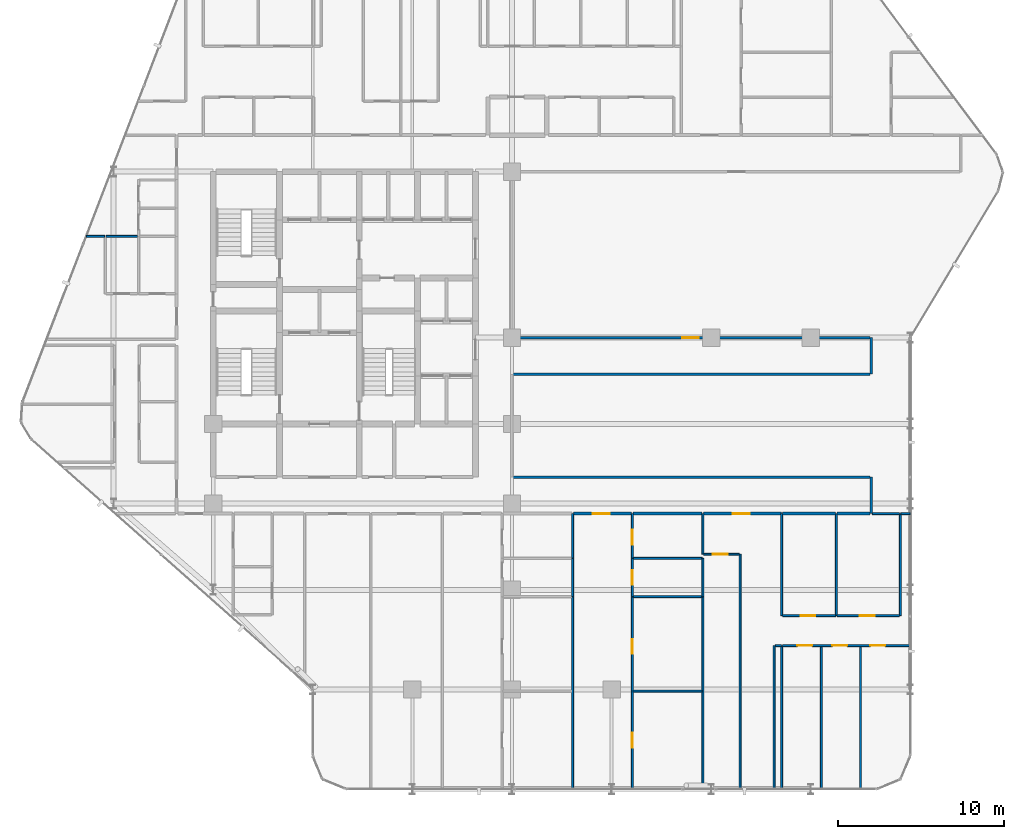
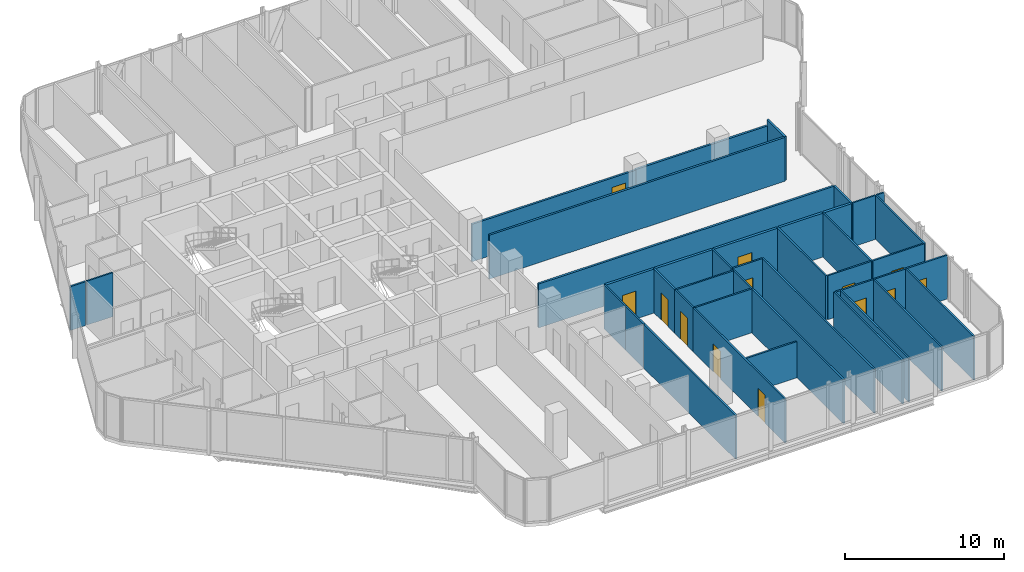
# One storey, part 26 of 30: 40 walls, 13 doors, 13 openings.
"""IFC4 building model written with IfcOpenShell, lengths in metres."""

from ifc_helpers import new_model, si_unit, direction, frame, frame_2d, origin, place, context, subcontext, project, spatial, rectangle, extrude, material, layer, layer_set, type_object, element, fill, save


model = new_model("IFC4")

# Units and contexts
model_context = context("Model", 3, precision=1e-05, world=origin(), true_north=direction((0.0, 1.0)))
body_context = subcontext(model_context, "Body", "Model", "MODEL_VIEW")
ifc_project = project(units=[si_unit("LENGTHUNIT", "METRE"), si_unit("AREAUNIT", "SQUARE_METRE"), si_unit("VOLUMEUNIT", "CUBIC_METRE"), si_unit("PLANEANGLEUNIT", "RADIAN"), si_unit("MASSUNIT", "GRAM", prefix="KILO")], contexts=[model_context])

# Site, building, storey
site_placement = place(None, origin())
site = spatial("IfcSite", under=ifc_project, at=site_placement, CompositionType="ELEMENT")
building_placement = place(site_placement, origin())
building = spatial("IfcBuilding", under=site, at=building_placement, Name="Keshet Zoharim Tower", CompositionType="ELEMENT")
storey_placement = place(building_placement, frame((0.0, 0.0, 116.800048828125)))
storey = spatial("IfcBuildingStorey", under=building, at=storey_placement, Name="L28", CompositionType="ELEMENT", Elevation=116.800048828125)

# Walls
ifc_material_1 = material(Name="Gypsum Plasterboard", Category="gypsum")
ifc_layer_1 = layer(ifc_material_1, 0.14990234375)
ifc_layer_set_1 = layer_set([ifc_layer_1], Name="Gypsum Plasterboard")
wall_type_1 = type_object("IfcWallType", Name="WL-CLIN-150", PredefinedType="STANDARD", material=ifc_layer_set_1)
wall_1_placement = place(storey_placement, frame((54.64990234375, 17.31005859375, 0.0), z_axis=(0.0, 0.0, 1.0), x_axis=(0.0, 1.0, 0.0)))
element("IfcWall", 1, at=wall_1_placement, inside=storey, type_object=wall_type_1, Name="L28 Interior Wall 107", PredefinedType="STANDARD", context=body_context, shape_type="SweptSolid", body=[
    extrude(rectangle(XDim=2.18994140625, YDim=0.14990234375, at=frame_2d((1.094970703125, 0.0))), origin(), (0.0, 0.0, 1.0), 3.3798828125),
])
wall_2_placement = place(storey_placement, frame((54.64990234375, 25.699951171875, 0.0), z_axis=(0.0, 0.0, 1.0), x_axis=(0.0, 1.0, 0.0)))
element("IfcWall", 2, at=wall_2_placement, inside=storey, type_object=wall_type_1, Name="L28 Interior Wall 108", PredefinedType="STANDARD", context=body_context, shape_type="SweptSolid", body=[
    extrude(rectangle(XDim=2.199951171875, YDim=0.14990234375, at=frame_2d((1.10009765625, 0.0))), origin(), (0.0, 0.0, 1.0), 3.3798828125),
])
for number, where, z_axis, x_axis, name in (
    (3, (33.070068359375, 19.5, 0.0), (0.0, 0.0, 1.0), (1.0, 0.0, 0.0), "L28 Interior Wall 145"),
    (4, (33.070068359375, 25.699951171875, 0.0), (0.0, 0.0, 1.0), (1.0, 0.0, 0.0), "L28 Interior Wall 157"),
):
    element("IfcWall", number, at=place(storey_placement, frame(where, z_axis=z_axis, x_axis=x_axis)), inside=storey, type_object=wall_type_1, Name=name, PredefinedType="STANDARD", context=body_context, shape_type="SweptSolid", body=[
        extrude(rectangle(XDim=21.510009765625, YDim=0.14990234375, at=frame_2d((10.7548828125, 0.0))), origin(), (0.0, 0.0, 1.0), 3.3798828125),
    ])

# Wall, opening, door
wall_3_placement = place(storey_placement, frame((33.070068359375, 27.89990234375, 0.0), z_axis=(0.0, 0.0, 1.0), x_axis=(1.0, 0.0, 0.0)))
wall_3 = element("IfcWall", 5, at=wall_3_placement, inside=storey, type_object=wall_type_1, Name="L28 Interior Wall 162", PredefinedType="STANDARD", context=body_context, shape_type="SweptSolid", body=[
    extrude(rectangle(XDim=11.929931640625, YDim=0.14990234375, at=frame_2d((5.96484375, 0.0))), origin(), (0.0, 0.0, 1.0), 2.8798828125),
])
opening_1_placement = place(wall_3_placement, frame((10.18505859375, 0.0, 0.0)))
opening_1 = element("IfcOpeningElement", 6, at=opening_1_placement, cuts=wall_3, Name="Opening D-F310", PredefinedType="OPENING", context=body_context, shape_type="SweptSolid", body=[
    extrude(rectangle(XDim=1.0, YDim=2.14990234375, at=frame_2d((0.5, 1.074951171875))), frame((0.0, 0.0849609375, 0.0), z_axis=(0.0, -1.0, 0.0), x_axis=(1.0, 0.0, 0.0)), (0.0, 0.0, 1.0), 0.169921875),
])
ifc_material_2 = material(Name="Hardwood Timber", Category="wood")
door_type_1 = type_object("IfcDoorType", Name="DR-FD30-100", OperationType="NOTDEFINED", PredefinedType="DOOR", material=ifc_material_2)
door_1_placement = place(opening_1_placement, origin())
door_1 = element("IfcDoor", 7, at=door_1_placement, inside=storey, type_object=door_type_1, Name="L28 North East Residents Services Suite Door 2", OperationType="SINGLE_SWING_LEFT", OverallHeight=2.14990234375, OverallWidth=1.0, PredefinedType="DOOR", context=body_context, shape_type="SweptSolid", body=[
    extrude(rectangle(XDim=1.0, YDim=2.14990234375, at=frame_2d((0.5, 1.074951171875))), frame((0.0, 0.02490234375, 0.0), z_axis=(0.0, -1.0, 0.0), x_axis=(1.0, 0.0, 0.0)), (0.0, 0.0, 1.0), 0.050048828125),
])
fill(opening_1, door_1)

# Wall
wall_4_placement = place(storey_placement, frame((45.0, 27.89990234375, 0.0), z_axis=(0.0, 0.0, 1.0), x_axis=(1.0, 0.0, 0.0)))
element("IfcWall", 8, at=wall_4_placement, inside=storey, type_object=wall_type_1, Name="L28 Interior Wall 162 Part 2", PredefinedType="STANDARD", context=body_context, shape_type="SweptSolid", body=[
    extrude(rectangle(XDim=9.580078125, YDim=0.14990234375, at=frame_2d((4.7900390625, 0.0))), origin(), (0.0, 0.0, 1.0), 2.929931640625),
])

# Wall, opening, door
ifc_layer_2 = layer(ifc_material_1, 0.179931640625)
ifc_layer_set_2 = layer_set([ifc_layer_2], Name="Gypsum Plasterboard")
wall_type_2 = type_object("IfcWallType", Name="WL-CORR-180", PredefinedType="STANDARD", material=ifc_layer_set_2)
wall_5_placement = place(storey_placement, frame((36.695068359375, 17.300048828125, 0.0), z_axis=(0.0, 0.0, 1.0), x_axis=(1.0, 0.0, 0.0)))
wall_5 = element("IfcWall", 9, at=wall_5_placement, inside=storey, type_object=wall_type_2, Name="L28 Interior Wall 134", PredefinedType="STANDARD", context=body_context, shape_type="SweptSolid", body=[
    extrude(rectangle(XDim=3.510009765625, YDim=0.179931640625, at=frame_2d((1.7548828125, 0.0))), origin(), (0.0, 0.0, 1.0), 3.3798828125),
])
opening_2_placement = place(wall_5_placement, frame((1.18505859375, 0.0, 0.0)))
opening_2 = element("IfcOpeningElement", 10, at=opening_2_placement, cuts=wall_5, Name="Opening D-F310", PredefinedType="OPENING", context=body_context, shape_type="SweptSolid", body=[
    extrude(rectangle(XDim=1.0, YDim=2.14990234375, at=frame_2d((0.5, 1.074951171875))), frame((0.0, 0.10009765625, 0.0), z_axis=(0.0, -1.0, 0.0), x_axis=(1.0, 0.0, 0.0)), (0.0, 0.0, 1.0), 0.199951171875),
])
door_2_placement = place(opening_2_placement, origin())
door_2 = element("IfcDoor", 11, at=door_2_placement, inside=storey, type_object=door_type_1, Name="Apartment 2803 Entrance Door", OperationType="SINGLE_SWING_RIGHT", OverallHeight=2.14990234375, OverallWidth=1.0, PredefinedType="DOOR", context=body_context, shape_type="SweptSolid", body=[
    extrude(rectangle(XDim=1.0, YDim=2.14990234375, at=frame_2d((0.5, 1.074951171875))), frame((0.0, 0.02490234375, 0.0), z_axis=(0.0, -1.0, 0.0), x_axis=(1.0, 0.0, 0.0)), (0.0, 0.0, 1.0), 0.050048828125),
])
fill(opening_2, door_2)

# Wall
wall_6_placement = place(storey_placement, frame((40.294921875, 17.300048828125, 0.0), z_axis=(0.0, 0.0, 1.0), x_axis=(1.0, 0.0, 0.0)))
element("IfcWall", 12, at=wall_6_placement, inside=storey, type_object=wall_type_2, Name="L28 Interior Wall 135", PredefinedType="STANDARD", context=body_context, shape_type="SweptSolid", body=[
    extrude(rectangle(XDim=4.16015625, YDim=0.179931640625, at=frame_2d((2.080078125, 0.0))), origin(), (0.0, 0.0, 1.0), 3.3798828125),
])

# Wall, opening, door
wall_7_placement = place(storey_placement, frame((44.544921875, 17.300048828125, 0.0), z_axis=(0.0, 0.0, 1.0), x_axis=(1.0, 0.0, 0.0)))
wall_7 = element("IfcWall", 13, at=wall_7_placement, inside=storey, type_object=wall_type_2, Name="L28 Interior Wall 136", PredefinedType="STANDARD", context=body_context, shape_type="SweptSolid", body=[
    extrude(rectangle(XDim=4.68017578125, YDim=0.179931640625, at=frame_2d((2.340087890625, 0.0))), origin(), (0.0, 0.0, 1.0), 3.3798828125),
])
opening_3_placement = place(wall_7_placement, frame((1.76904296875, 0.0, 0.0)))
opening_3 = element("IfcOpeningElement", 14, at=opening_3_placement, cuts=wall_7, Name="Opening D-F310", PredefinedType="OPENING", context=body_context, shape_type="SweptSolid", body=[
    extrude(rectangle(XDim=1.0, YDim=2.14990234375, at=frame_2d((0.5, 1.074951171875))), frame((0.0, 0.10009765625, 0.0), z_axis=(0.0, -1.0, 0.0), x_axis=(1.0, 0.0, 0.0)), (0.0, 0.0, 1.0), 0.199951171875),
])
door_3_placement = place(opening_3_placement, origin())
door_3 = element("IfcDoor", 15, at=door_3_placement, inside=storey, type_object=door_type_1, Name="Apartment 2804 Entrance Door", OperationType="SINGLE_SWING_LEFT", OverallHeight=2.14990234375, OverallWidth=1.0, PredefinedType="DOOR", context=body_context, shape_type="SweptSolid", body=[
    extrude(rectangle(XDim=1.0, YDim=2.14990234375, at=frame_2d((0.5, 1.074951171875))), frame((0.0, 0.02490234375, 0.0), z_axis=(0.0, -1.0, 0.0), x_axis=(1.0, 0.0, 0.0)), (0.0, 0.0, 1.0), 0.050048828125),
])
fill(opening_3, door_3)

# Walls
wall_8_placement = place(storey_placement, frame((49.31494140625, 17.300048828125, 0.0), z_axis=(0.0, 0.0, 1.0), x_axis=(1.0, 0.0, 0.0)))
element("IfcWall", 16, at=wall_8_placement, inside=storey, type_object=wall_type_2, Name="L28 Interior Wall 137", PredefinedType="STANDARD", context=body_context, shape_type="SweptSolid", body=[
    extrude(rectangle(XDim=3.18505859375, YDim=0.179931640625, at=frame_2d((1.592529296875, 0.0))), origin(), (0.0, 0.0, 1.0), 3.3798828125),
])
wall_9_placement = place(storey_placement, frame((52.590087890625, 17.300048828125, 0.0), z_axis=(0.0, 0.0, 1.0), x_axis=(1.0, 0.0, 0.0)))
element("IfcWall", 17, at=wall_9_placement, inside=storey, type_object=wall_type_2, Name="L28 Interior Wall 138", PredefinedType="STANDARD", context=body_context, shape_type="SweptSolid", body=[
    extrude(rectangle(XDim=1.989990234375, YDim=0.179931640625, at=frame_2d((0.9951171875, 0.0))), origin(), (0.0, 0.0, 1.0), 3.3798828125),
])
ifc_layer_3 = layer(ifc_material_1, 0.1201171875)
ifc_layer_set_3 = layer_set([ifc_layer_3], Name="Gypsum Plasterboard")
wall_type_3 = type_object("IfcWallType", Name="WL-PART-120", PredefinedType="PARTITIONING", material=ifc_layer_set_3)
wall_10_placement = place(storey_placement, frame((36.64990234375, 0.7099609375, 0.0), z_axis=(0.0, 0.0, 1.0), x_axis=(0.0, 1.0, 0.0)))
element("IfcWall", 18, at=wall_10_placement, inside=storey, type_object=wall_type_3, Name="L28 Interior Wall 079", PredefinedType="PARTITIONING", context=body_context, shape_type="SweptSolid", body=[
    extrude(rectangle(XDim=11.590087890625, YDim=0.1201171875, at=frame_2d((5.794921875, 0.0))), origin(), (0.0, 0.0, 1.0), 3.3798828125),
])
wall_11_placement = place(storey_placement, frame((36.64990234375, 12.300048828125, 0.0), z_axis=(0.0, 0.0, 1.0), x_axis=(0.0, 1.0, 0.0)))
element("IfcWall", 19, at=wall_11_placement, inside=storey, type_object=wall_type_3, Name="L28 Interior Wall 080", PredefinedType="PARTITIONING", context=body_context, shape_type="SweptSolid", body=[
    extrude(rectangle(XDim=2.300048828125, YDim=0.1201171875, at=frame_2d((1.14990234375, 0.0))), origin(), (0.0, 0.0, 1.0), 3.3798828125),
])

# Wall, openings, doors
wall_12_placement = place(storey_placement, frame((40.25, 0.7099609375, 0.0), z_axis=(0.0, 0.0, 1.0), x_axis=(0.0, 1.0, 0.0)))
wall_12 = element("IfcWall", 20, at=wall_12_placement, inside=storey, type_object=wall_type_3, Name="L28 Interior Wall 085", PredefinedType="PARTITIONING", context=body_context, shape_type="SweptSolid", body=[
    extrude(rectangle(XDim=11.590087890625, YDim=0.1201171875, at=frame_2d((5.794921875, 0.0))), origin(), (0.0, 0.0, 1.0), 3.3798828125),
])
opening_4_placement = place(wall_12_placement, frame((2.489990234375, 0.0, 0.0)))
opening_4 = element("IfcOpeningElement", 21, at=opening_4_placement, cuts=wall_12, Name="Opening D-IN90", PredefinedType="OPENING", context=body_context, shape_type="SweptSolid", body=[
    extrude(rectangle(XDim=0.89990234375, YDim=2.14990234375, at=frame_2d((0.449951171875, 1.074951171875))), frame((0.0, 0.070068359375, 0.0), z_axis=(0.0, -1.0, 0.0), x_axis=(1.0, 0.0, 0.0)), (0.0, 0.0, 1.0), 0.14013671875),
])
opening_5_placement = place(wall_12_placement, frame((8.133056640625, 0.0, 0.0)))
opening_5 = element("IfcOpeningElement", 22, at=opening_5_placement, cuts=wall_12, Name="Opening D-IN90", PredefinedType="OPENING", context=body_context, shape_type="SweptSolid", body=[
    extrude(rectangle(XDim=0.89990234375, YDim=2.14990234375, at=frame_2d((0.449951171875, 1.074951171875))), frame((0.0, 0.070068359375, 0.0), z_axis=(0.0, -1.0, 0.0), x_axis=(1.0, 0.0, 0.0)), (0.0, 0.0, 1.0), 0.14013671875),
])
door_type_2 = type_object("IfcDoorType", Name="DR-INT-090", OperationType="NOTDEFINED", PredefinedType="DOOR", material=ifc_material_2)
door_4_placement = place(opening_4_placement, origin())
door_4 = element("IfcDoor", 23, at=door_4_placement, inside=storey, type_object=door_type_2, Name="Apartment 2803 Bedroom 1 Door", OperationType="SINGLE_SWING_RIGHT", OverallHeight=2.14990234375, OverallWidth=0.89990234375, PredefinedType="DOOR", context=body_context, shape_type="SweptSolid", body=[
    extrude(rectangle(XDim=0.89990234375, YDim=2.14990234375, at=frame_2d((0.449951171875, 1.074951171875))), frame((0.0, 0.02490234375, 0.0), z_axis=(0.0, -1.0, 0.0), x_axis=(1.0, 0.0, 0.0)), (0.0, 0.0, 1.0), 0.050048828125),
])
fill(opening_4, door_4)
door_5_placement = place(opening_5_placement, origin())
door_5 = element("IfcDoor", 24, at=door_5_placement, inside=storey, type_object=door_type_2, Name="Apartment 2803 Bedroom 2 Door", OperationType="SINGLE_SWING_LEFT", OverallHeight=2.14990234375, OverallWidth=0.89990234375, PredefinedType="DOOR", context=body_context, shape_type="SweptSolid", body=[
    extrude(rectangle(XDim=0.89990234375, YDim=2.14990234375, at=frame_2d((0.449951171875, 1.074951171875))), frame((0.0, 0.02490234375, 0.0), z_axis=(0.0, -1.0, 0.0), x_axis=(1.0, 0.0, 0.0)), (0.0, 0.0, 1.0), 0.050048828125),
])
fill(opening_5, door_5)

# Wall, opening, door
wall_13_placement = place(storey_placement, frame((40.25, 12.300048828125, 0.0), z_axis=(0.0, 0.0, 1.0), x_axis=(0.0, 1.0, 0.0)))
wall_13 = element("IfcWall", 25, at=wall_13_placement, inside=storey, type_object=wall_type_3, Name="L28 Interior Wall 086", PredefinedType="PARTITIONING", context=body_context, shape_type="SweptSolid", body=[
    extrude(rectangle(XDim=2.300048828125, YDim=0.1201171875, at=frame_2d((1.14990234375, 0.0))), origin(), (0.0, 0.0, 1.0), 3.3798828125),
])
opening_6_placement = place(wall_13_placement, frame((0.699951171875, 0.0, 0.0)))
opening_6 = element("IfcOpeningElement", 26, at=opening_6_placement, cuts=wall_13, Name="Opening D-IN90", PredefinedType="OPENING", context=body_context, shape_type="SweptSolid", body=[
    extrude(rectangle(XDim=0.89990234375, YDim=2.14990234375, at=frame_2d((0.449951171875, 1.074951171875))), frame((0.0, 0.070068359375, 0.0), z_axis=(0.0, -1.0, 0.0), x_axis=(1.0, 0.0, 0.0)), (0.0, 0.0, 1.0), 0.14013671875),
])
door_6_placement = place(opening_6_placement, origin())
door_6 = element("IfcDoor", 27, at=door_6_placement, inside=storey, type_object=door_type_2, Name="Apartment 2803 Kitchen Door", OperationType="SINGLE_SWING_RIGHT", OverallHeight=2.14990234375, OverallWidth=0.89990234375, PredefinedType="DOOR", context=body_context, shape_type="SweptSolid", body=[
    extrude(rectangle(XDim=0.89990234375, YDim=2.14990234375, at=frame_2d((0.449951171875, 1.074951171875))), frame((0.0, 0.02490234375, 0.0), z_axis=(0.0, -1.0, 0.0), x_axis=(1.0, 0.0, 0.0)), (0.0, 0.0, 1.0), 0.050048828125),
])
fill(opening_6, door_6)

# Walls
wall_14_placement = place(storey_placement, frame((44.5, 0.7099609375, 0.0), z_axis=(0.0, 0.0, 1.0), x_axis=(0.0, 1.0, 0.0)))
element("IfcWall", 28, at=wall_14_placement, inside=storey, type_object=wall_type_3, Name="L28 Interior Wall 091", PredefinedType="PARTITIONING", context=body_context, shape_type="SweptSolid", body=[
    extrude(rectangle(XDim=11.590087890625, YDim=0.1201171875, at=frame_2d((5.794921875, 0.0))), origin(), (0.0, 0.0, 1.0), 3.3798828125),
])
wall_15_placement = place(storey_placement, frame((44.5, 12.300048828125, 0.0), z_axis=(0.0, 0.0, 1.0), x_axis=(0.0, 1.0, 0.0)))
element("IfcWall", 29, at=wall_15_placement, inside=storey, type_object=wall_type_3, Name="L28 Interior Wall 092", PredefinedType="PARTITIONING", context=body_context, shape_type="SweptSolid", body=[
    extrude(rectangle(XDim=2.300048828125, YDim=0.1201171875, at=frame_2d((1.14990234375, 0.0))), origin(), (0.0, 0.0, 1.0), 3.3798828125),
])
wall_16_placement = place(storey_placement, frame((46.75, 0.7099609375, 0.0), z_axis=(0.0, 0.0, 1.0), x_axis=(0.0, 1.0, 0.0)))
element("IfcWall", 30, at=wall_16_placement, inside=storey, type_object=wall_type_3, Name="L28 Interior Wall 094", PredefinedType="PARTITIONING", context=body_context, shape_type="SweptSolid", body=[
    extrude(rectangle(XDim=14.14013671875, YDim=0.1201171875, at=frame_2d((7.070068359375, 0.0))), origin(), (0.0, 0.0, 1.0), 3.3798828125),
])
for number, where, z_axis, x_axis, name in (
    (31, (48.800048828125, 0.7099609375, 0.0), (0.0, 0.0, 1.0), (0.0, 1.0, 0.0), "L28 Interior Wall 098"),
    (32, (49.25, 0.7099609375, 0.0), (0.0, 0.0, 1.0), (0.0, 1.0, 0.0), "L28 Interior Wall 099"),
):
    element("IfcWall", number, at=place(storey_placement, frame(where, z_axis=z_axis, x_axis=x_axis)), inside=storey, type_object=wall_type_3, Name=name, PredefinedType="PARTITIONING", context=body_context, shape_type="SweptSolid", body=[
        extrude(rectangle(XDim=8.64013671875, YDim=0.1201171875, at=frame_2d((4.320068359375, 0.0))), origin(), (0.0, 0.0, 1.0), 3.3798828125),
    ])
wall_17_placement = place(storey_placement, frame((49.25, 11.14990234375, 0.0), z_axis=(0.0, 0.0, 1.0), x_axis=(0.0, 1.0, 0.0)))
element("IfcWall", 33, at=wall_17_placement, inside=storey, type_object=wall_type_3, Name="L28 Interior Wall 100", PredefinedType="PARTITIONING", context=body_context, shape_type="SweptSolid", body=[
    extrude(rectangle(XDim=6.150146484375, YDim=0.1201171875, at=frame_2d((3.0751953125, 0.0))), origin(), (0.0, 0.0, 1.0), 3.3798828125),
])
for number, where, z_axis, x_axis, name in (
    (34, (51.64990234375, 0.7099609375, 0.0), (0.0, 0.0, 1.0), (0.0, 1.0, 0.0), "L28 Interior Wall 101"),
    (35, (54.0, 0.7099609375, 0.0), (0.0, 0.0, 1.0), (0.0, 1.0, 0.0), "L28 Interior Wall 106"),
):
    element("IfcWall", number, at=place(storey_placement, frame(where, z_axis=z_axis, x_axis=x_axis)), inside=storey, type_object=wall_type_3, Name=name, PredefinedType="PARTITIONING", context=body_context, shape_type="SweptSolid", body=[
        extrude(rectangle(XDim=8.64013671875, YDim=0.1201171875, at=frame_2d((4.320068359375, 0.0))), origin(), (0.0, 0.0, 1.0), 3.3798828125),
    ])
wall_18_placement = place(storey_placement, frame((40.294921875, 6.60009765625, 0.0), z_axis=(0.0, 0.0, 1.0), x_axis=(1.0, 0.0, 0.0)))
element("IfcWall", 36, at=wall_18_placement, inside=storey, type_object=wall_type_3, Name="L28 Interior Wall 114", PredefinedType="PARTITIONING", context=body_context, shape_type="SweptSolid", body=[
    extrude(rectangle(XDim=4.16015625, YDim=0.1201171875, at=frame_2d((2.080078125, 0.0))), origin(), (0.0, 0.0, 1.0), 2.780029296875),
])
wall_19_placement = place(storey_placement, frame((48.864990234375, 9.35009765625, 0.0), z_axis=(0.0, 0.0, 1.0), x_axis=(1.0, 0.0, 0.0)))
element("IfcWall", 37, at=wall_19_placement, inside=storey, type_object=wall_type_3, Name="L28 Interior Wall 115", PredefinedType="PARTITIONING", context=body_context, shape_type="SweptSolid", body=[
    extrude(rectangle(XDim=0.360107421875, YDim=0.1201171875, at=frame_2d((0.18017578125, 0.0))), origin(), (0.0, 0.0, 1.0), 3.3798828125),
])

# Wall, openings, doors
wall_20_placement = place(storey_placement, frame((49.31494140625, 9.35009765625, 0.0), z_axis=(0.0, 0.0, 1.0), x_axis=(1.0, 0.0, 0.0)))
wall_20 = element("IfcWall", 38, at=wall_20_placement, inside=storey, type_object=wall_type_3, Name="L28 Interior Wall 116", PredefinedType="PARTITIONING", context=body_context, shape_type="SweptSolid", body=[
    extrude(rectangle(XDim=7.675048828125, YDim=0.1201171875, at=frame_2d((3.83740234375, 0.0))), origin(), (0.0, 0.0, 1.0), 3.3798828125),
])
opening_7_placement = place(wall_20_placement, frame((0.866943359375, 0.0, 0.0)))
opening_7 = element("IfcOpeningElement", 39, at=opening_7_placement, cuts=wall_20, Name="Opening D-IN90", PredefinedType="OPENING", context=body_context, shape_type="SweptSolid", body=[
    extrude(rectangle(XDim=0.89990234375, YDim=2.14990234375, at=frame_2d((0.449951171875, 1.074951171875))), frame((0.0, 0.070068359375, 0.0), z_axis=(0.0, -1.0, 0.0), x_axis=(1.0, 0.0, 0.0)), (0.0, 0.0, 1.0), 0.14013671875),
])
opening_8_placement = place(wall_20_placement, frame((2.993896484375, 0.0, 0.0)))
opening_8 = element("IfcOpeningElement", 40, at=opening_8_placement, cuts=wall_20, Name="Opening D-IN90", PredefinedType="OPENING", context=body_context, shape_type="SweptSolid", body=[
    extrude(rectangle(XDim=0.89990234375, YDim=2.14990234375, at=frame_2d((0.449951171875, 1.074951171875))), frame((0.0, 0.070068359375, 0.0), z_axis=(0.0, -1.0, 0.0), x_axis=(1.0, 0.0, 0.0)), (0.0, 0.0, 1.0), 0.14013671875),
])
opening_9_placement = place(wall_20_placement, frame((5.263916015625, 0.0, 0.0)))
opening_9 = element("IfcOpeningElement", 41, at=opening_9_placement, cuts=wall_20, Name="Opening D-IN90", PredefinedType="OPENING", context=body_context, shape_type="SweptSolid", body=[
    extrude(rectangle(XDim=0.89990234375, YDim=2.14990234375, at=frame_2d((0.449951171875, 1.074951171875))), frame((0.0, 0.070068359375, 0.0), z_axis=(0.0, -1.0, 0.0), x_axis=(1.0, 0.0, 0.0)), (0.0, 0.0, 1.0), 0.14013671875),
])
door_7_placement = place(opening_7_placement, origin())
door_7 = element("IfcDoor", 42, at=door_7_placement, inside=storey, type_object=door_type_2, Name="Apartment 2804 Bedroom 1 Door", OperationType="SINGLE_SWING_RIGHT", OverallHeight=2.14990234375, OverallWidth=0.89990234375, PredefinedType="DOOR", context=body_context, shape_type="SweptSolid", body=[
    extrude(rectangle(XDim=0.89990234375, YDim=2.14990234375, at=frame_2d((0.449951171875, 1.074951171875))), frame((0.0, 0.02490234375, 0.0), z_axis=(0.0, -1.0, 0.0), x_axis=(1.0, 0.0, 0.0)), (0.0, 0.0, 1.0), 0.050048828125),
])
fill(opening_7, door_7)
door_8_placement = place(opening_8_placement, origin())
door_8 = element("IfcDoor", 43, at=door_8_placement, inside=storey, type_object=door_type_2, Name="Apartment 2804 Bedroom 2 Door", OperationType="SINGLE_SWING_LEFT", OverallHeight=2.14990234375, OverallWidth=0.89990234375, PredefinedType="DOOR", context=body_context, shape_type="SweptSolid", body=[
    extrude(rectangle(XDim=0.89990234375, YDim=2.14990234375, at=frame_2d((0.449951171875, 1.074951171875))), frame((0.0, 0.02490234375, 0.0), z_axis=(0.0, -1.0, 0.0), x_axis=(1.0, 0.0, 0.0)), (0.0, 0.0, 1.0), 0.050048828125),
])
fill(opening_8, door_8)
door_9_placement = place(opening_9_placement, origin())
door_9 = element("IfcDoor", 44, at=door_9_placement, inside=storey, type_object=door_type_2, Name="Apartment 2804 Bedroom 3 Door", OperationType="SINGLE_SWING_RIGHT", OverallHeight=2.14990234375, OverallWidth=0.89990234375, PredefinedType="DOOR", context=body_context, shape_type="SweptSolid", body=[
    extrude(rectangle(XDim=0.89990234375, YDim=2.14990234375, at=frame_2d((0.449951171875, 1.074951171875))), frame((0.0, 0.02490234375, 0.0), z_axis=(0.0, -1.0, 0.0), x_axis=(1.0, 0.0, 0.0)), (0.0, 0.0, 1.0), 0.050048828125),
])
fill(opening_9, door_9)

# Wall, opening, door
wall_21_placement = place(storey_placement, frame((49.31494140625, 11.14990234375, 0.0), z_axis=(0.0, 0.0, 1.0), x_axis=(1.0, 0.0, 0.0)))
wall_21 = element("IfcWall", 45, at=wall_21_placement, inside=storey, type_object=wall_type_3, Name="L28 Interior Wall 117", PredefinedType="PARTITIONING", context=body_context, shape_type="SweptSolid", body=[
    extrude(rectangle(XDim=3.18505859375, YDim=0.1201171875, at=frame_2d((1.592529296875, 0.0))), origin(), (0.0, 0.0, 1.0), 3.3798828125),
])
opening_10_placement = place(wall_21_placement, frame((1.071044921875, 0.0, 0.0)))
opening_10 = element("IfcOpeningElement", 46, at=opening_10_placement, cuts=wall_21, Name="Opening D-IN90", PredefinedType="OPENING", context=body_context, shape_type="SweptSolid", body=[
    extrude(rectangle(XDim=0.89990234375, YDim=2.14990234375, at=frame_2d((0.449951171875, 1.074951171875))), frame((0.0, 0.070068359375, 0.0), z_axis=(0.0, -1.0, 0.0), x_axis=(1.0, 0.0, 0.0)), (0.0, 0.0, 1.0), 0.14013671875),
])
door_10_placement = place(opening_10_placement, origin())
door_10 = element("IfcDoor", 47, at=door_10_placement, inside=storey, type_object=door_type_2, Name="Apartment 2804 Kitchen Door", OperationType="SINGLE_SWING_LEFT", OverallHeight=2.14990234375, OverallWidth=0.89990234375, PredefinedType="DOOR", context=body_context, shape_type="SweptSolid", body=[
    extrude(rectangle(XDim=0.89990234375, YDim=2.14990234375, at=frame_2d((0.449951171875, 1.074951171875))), frame((0.0, 0.02490234375, 0.0), z_axis=(0.0, -1.0, 0.0), x_axis=(1.0, 0.0, 0.0)), (0.0, 0.0, 1.0), 0.050048828125),
])
fill(opening_10, door_10)

# Wall
wall_22_placement = place(storey_placement, frame((40.294921875, 12.300048828125, 0.0), z_axis=(0.0, 0.0, 1.0), x_axis=(1.0, 0.0, 0.0)))
element("IfcWall", 48, at=wall_22_placement, inside=storey, type_object=wall_type_3, Name="L28 Interior Wall 121", PredefinedType="PARTITIONING", context=body_context, shape_type="SweptSolid", body=[
    extrude(rectangle(XDim=4.16015625, YDim=0.1201171875, at=frame_2d((2.080078125, 0.0))), origin(), (0.0, 0.0, 1.0), 3.3798828125),
])

# Wall, opening, door
wall_23_placement = place(storey_placement, frame((44.544921875, 14.85009765625, 0.0), z_axis=(0.0, 0.0, 1.0), x_axis=(1.0, 0.0, 0.0)))
wall_23 = element("IfcWall", 49, at=wall_23_placement, inside=storey, type_object=wall_type_3, Name="L28 Interior Wall 125", PredefinedType="PARTITIONING", context=body_context, shape_type="SweptSolid", body=[
    extrude(rectangle(XDim=2.16015625, YDim=0.1201171875, at=frame_2d((1.080078125, 0.0))), origin(), (0.0, 0.0, 1.0), 3.3798828125),
])
opening_11_placement = place(wall_23_placement, frame((0.552978515625, 0.0, 0.0)))
opening_11 = element("IfcOpeningElement", 50, at=opening_11_placement, cuts=wall_23, Name="Opening D-IN90", PredefinedType="OPENING", context=body_context, shape_type="SweptSolid", body=[
    extrude(rectangle(XDim=0.89990234375, YDim=2.14990234375, at=frame_2d((0.449951171875, 1.074951171875))), frame((0.0, 0.070068359375, 0.0), z_axis=(0.0, -1.0, 0.0), x_axis=(1.0, 0.0, 0.0)), (0.0, 0.0, 1.0), 0.14013671875),
])
door_11_placement = place(opening_11_placement, origin())
door_11 = element("IfcDoor", 51, at=door_11_placement, inside=storey, type_object=door_type_2, Name="Apartment 2804 Formal Dining Room Door", OperationType="SINGLE_SWING_LEFT", OverallHeight=2.14990234375, OverallWidth=0.89990234375, PredefinedType="DOOR", context=body_context, shape_type="SweptSolid", body=[
    extrude(rectangle(XDim=0.89990234375, YDim=2.14990234375, at=frame_2d((0.449951171875, 1.074951171875))), frame((0.0, 0.02490234375, 0.0), z_axis=(0.0, -1.0, 0.0), x_axis=(1.0, 0.0, 0.0)), (0.0, 0.0, 1.0), 0.050048828125),
])
fill(opening_11, door_11)

# Walls
wall_24_placement = place(storey_placement, frame((56.43505859375, 17.300048828125, 0.0), z_axis=(0.0, 0.0, 1.0), x_axis=(1.0, 0.0, 0.0)))
element("IfcWall", 52, at=wall_24_placement, inside=storey, type_object=wall_type_3, Name="L28 Interior Wall 140", PredefinedType="PARTITIONING", context=body_context, shape_type="SweptSolid", body=[
    extrude(rectangle(XDim=0.554931640625, YDim=0.1201171875, at=frame_2d((0.27734375, 0.0))), origin(), (0.0, 0.0, 1.0), 3.3798828125),
])
wall_25_placement = place(storey_placement, frame((7.35595703125, 34.0, 0.0), z_axis=(0.0, 0.0, 1.0), x_axis=(1.0, 0.0, 0.0)))
element("IfcWall", 53, at=wall_25_placement, inside=storey, type_object=wall_type_3, Name="L28 Interior Wall 173", PredefinedType="PARTITIONING", context=body_context, shape_type="SweptSolid", body=[
    extrude(rectangle(XDim=1.09912109375, YDim=0.1201171875, at=frame_2d((0.549560546875, 0.0))), origin(), (0.0, 0.0, 1.0), 3.3798828125),
])
wall_26_placement = place(storey_placement, frame((8.544921875, 34.0, 0.0), z_axis=(0.0, 0.0, 1.0), x_axis=(1.0, 0.0, 0.0)))
element("IfcWall", 54, at=wall_26_placement, inside=storey, type_object=wall_type_3, Name="L28 Interior Wall 174", PredefinedType="PARTITIONING", context=body_context, shape_type="SweptSolid", body=[
    extrude(rectangle(XDim=1.88818359375, YDim=0.1201171875, at=frame_2d((0.944091796875, 0.0))), origin(), (0.0, 0.0, 1.0), 3.3798828125),
])
ifc_layer_4 = layer(ifc_material_1, 0.1201171875)
ifc_layer_set_4 = layer_set([ifc_layer_4], Name="Gypsum Plasterboard")
wall_type_4 = type_object("IfcWallType", Name="WL-WET-120", PredefinedType="PARTITIONING", material=ifc_layer_set_4)
wall_27_placement = place(storey_placement, frame((36.64990234375, 14.60009765625, 0.0), z_axis=(0.0, 0.0, 1.0), x_axis=(0.0, 1.0, 0.0)))
element("IfcWall", 55, at=wall_27_placement, inside=storey, type_object=wall_type_4, Name="L28 Interior Wall 081", PredefinedType="PARTITIONING", context=body_context, shape_type="SweptSolid", body=[
    extrude(rectangle(XDim=2.699951171875, YDim=0.1201171875, at=frame_2d((1.35009765625, 0.0))), origin(), (0.0, 0.0, 1.0), 3.3798828125),
])

# Wall, opening, door
wall_28_placement = place(storey_placement, frame((40.25, 14.60009765625, 0.0), z_axis=(0.0, 0.0, 1.0), x_axis=(0.0, 1.0, 0.0)))
wall_28 = element("IfcWall", 56, at=wall_28_placement, inside=storey, type_object=wall_type_4, Name="L28 Interior Wall 087", PredefinedType="PARTITIONING", context=body_context, shape_type="SweptSolid", body=[
    extrude(rectangle(XDim=2.699951171875, YDim=0.1201171875, at=frame_2d((1.35009765625, 0.0))), origin(), (0.0, 0.0, 1.0), 3.3798828125),
])
opening_12_placement = place(wall_28_placement, frame((0.827880859375, 0.0, 0.0)))
opening_12 = element("IfcOpeningElement", 57, at=opening_12_placement, cuts=wall_28, Name="Opening D-WT90", PredefinedType="OPENING", context=body_context, shape_type="SweptSolid", body=[
    extrude(rectangle(XDim=0.89990234375, YDim=2.10009765625, at=frame_2d((0.449951171875, 1.050048828125))), frame((0.0, 0.070068359375, 0.0), z_axis=(0.0, -1.0, 0.0), x_axis=(1.0, 0.0, 0.0)), (0.0, 0.0, 1.0), 0.14013671875),
])
door_type_3 = type_object("IfcDoorType", Name="DR-WET-090", OperationType="NOTDEFINED", PredefinedType="DOOR", material=ifc_material_2)
door_12_placement = place(opening_12_placement, origin())
door_12 = element("IfcDoor", 58, at=door_12_placement, inside=storey, type_object=door_type_3, Name="Apartment 2803 Bathroom Door", OperationType="SINGLE_SWING_LEFT", OverallHeight=2.10009765625, OverallWidth=0.89990234375, PredefinedType="DOOR", context=body_context, shape_type="SweptSolid", body=[
    extrude(rectangle(XDim=0.89990234375, YDim=2.10009765625, at=frame_2d((0.449951171875, 1.050048828125))), frame((0.0, 0.02490234375, 0.0), z_axis=(0.0, -1.0, 0.0), x_axis=(1.0, 0.0, 0.0)), (0.0, 0.0, 1.0), 0.050048828125),
])
fill(opening_12, door_12)

# Walls
wall_29_placement = place(storey_placement, frame((44.5, 14.85009765625, 0.0), z_axis=(0.0, 0.0, 1.0), x_axis=(0.0, 1.0, 0.0)))
element("IfcWall", 59, at=wall_29_placement, inside=storey, type_object=wall_type_4, Name="L28 Interior Wall 093", PredefinedType="PARTITIONING", context=body_context, shape_type="SweptSolid", body=[
    extrude(rectangle(XDim=2.449951171875, YDim=0.1201171875, at=frame_2d((1.22509765625, 0.0))), origin(), (0.0, 0.0, 1.0), 3.3798828125),
])
for number, where, z_axis, x_axis, name in (
    (60, (52.550048828125, 11.14990234375, 0.0), (0.0, 0.0, 1.0), (0.0, 1.0, 0.0), "L28 Interior Wall 105"),
    (61, (56.39990234375, 11.14990234375, 0.0), (0.0, 0.0, 1.0), (0.0, 1.0, 0.0), "L28 Interior Wall 111"),
):
    element("IfcWall", number, at=place(storey_placement, frame(where, z_axis=z_axis, x_axis=x_axis)), inside=storey, type_object=wall_type_4, Name=name, PredefinedType="PARTITIONING", context=body_context, shape_type="SweptSolid", body=[
        extrude(rectangle(XDim=6.150146484375, YDim=0.1201171875, at=frame_2d((3.0751953125, 0.0))), origin(), (0.0, 0.0, 1.0), 3.3798828125),
    ])

# Wall, opening, door
wall_30_placement = place(storey_placement, frame((52.590087890625, 11.14990234375, 0.0), z_axis=(0.0, 0.0, 1.0), x_axis=(1.0, 0.0, 0.0)))
wall_30 = element("IfcWall", 62, at=wall_30_placement, inside=storey, type_object=wall_type_4, Name="L28 Interior Wall 118", PredefinedType="PARTITIONING", context=body_context, shape_type="SweptSolid", body=[
    extrude(rectangle(XDim=3.7548828125, YDim=0.1201171875, at=frame_2d((1.87744140625, 0.0))), origin(), (0.0, 0.0, 1.0), 3.3798828125),
])
opening_13_placement = place(wall_30_placement, frame((1.35595703125, 0.0, 0.0)))
opening_13 = element("IfcOpeningElement", 63, at=opening_13_placement, cuts=wall_30, Name="Opening D-WT90", PredefinedType="OPENING", context=body_context, shape_type="SweptSolid", body=[
    extrude(rectangle(XDim=0.89990234375, YDim=2.10009765625, at=frame_2d((0.449951171875, 1.050048828125))), frame((0.0, 0.070068359375, 0.0), z_axis=(0.0, -1.0, 0.0), x_axis=(1.0, 0.0, 0.0)), (0.0, 0.0, 1.0), 0.14013671875),
])
door_13_placement = place(opening_13_placement, origin())
door_13 = element("IfcDoor", 64, at=door_13_placement, inside=storey, type_object=door_type_3, Name="Apartment 2804 Bathroom Door", OperationType="SINGLE_SWING_RIGHT", OverallHeight=2.10009765625, OverallWidth=0.89990234375, PredefinedType="DOOR", context=body_context, shape_type="SweptSolid", body=[
    extrude(rectangle(XDim=0.89990234375, YDim=2.10009765625, at=frame_2d((0.449951171875, 1.050048828125))), frame((0.0, 0.02490234375, 0.0), z_axis=(0.0, -1.0, 0.0), x_axis=(1.0, 0.0, 0.0)), (0.0, 0.0, 1.0), 0.050048828125),
])
fill(opening_13, door_13)

# Walls
wall_31_placement = place(storey_placement, frame((40.294921875, 14.60009765625, 0.0), z_axis=(0.0, 0.0, 1.0), x_axis=(1.0, 0.0, 0.0)))
element("IfcWall", 65, at=wall_31_placement, inside=storey, type_object=wall_type_4, Name="L28 Interior Wall 124", PredefinedType="PARTITIONING", context=body_context, shape_type="SweptSolid", body=[
    extrude(rectangle(XDim=4.16015625, YDim=0.1201171875, at=frame_2d((2.080078125, 0.0))), origin(), (0.0, 0.0, 1.0), 3.3798828125),
])
wall_32_placement = place(storey_placement, frame((54.7099609375, 17.300048828125, 0.0), z_axis=(0.0, 0.0, 1.0), x_axis=(1.0, 0.0, 0.0)))
element("IfcWall", 66, at=wall_32_placement, inside=storey, type_object=wall_type_4, Name="L28 Interior Wall 139", PredefinedType="PARTITIONING", context=body_context, shape_type="SweptSolid", body=[
    extrude(rectangle(XDim=1.635009765625, YDim=0.1201171875, at=frame_2d((0.8173828125, 0.0))), origin(), (0.0, 0.0, 1.0), 3.3798828125),
])

save(model, "model.ifc")
